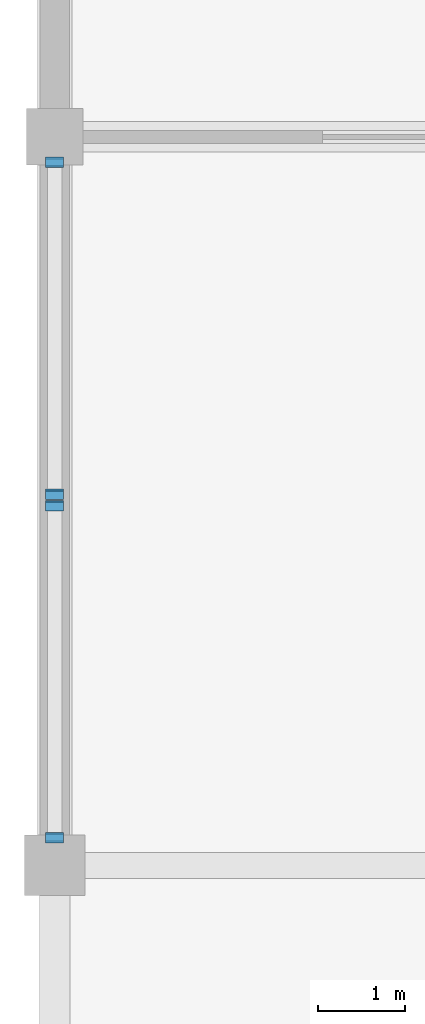
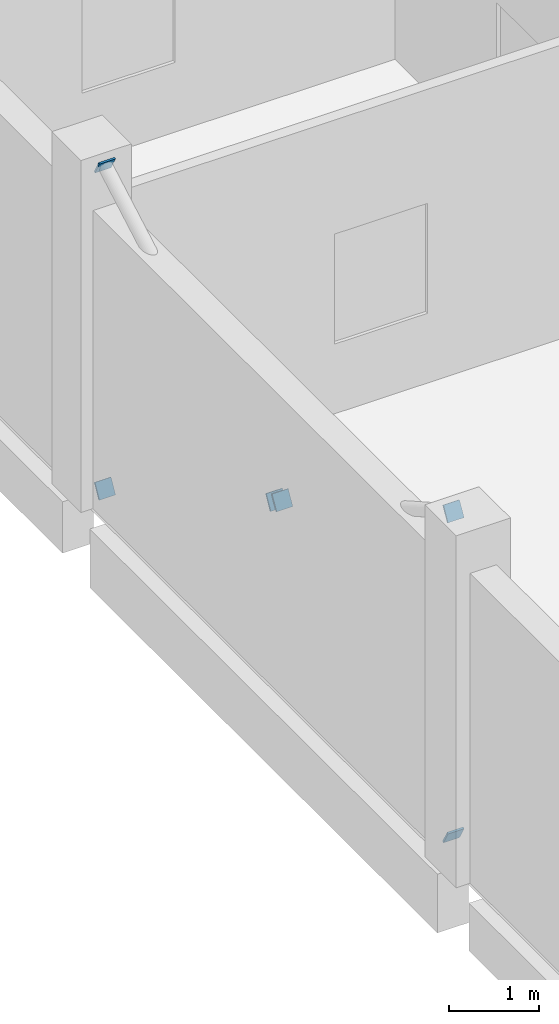
# One storey, part 61 of 91: 6 plates.
"""IFC4 building model written with IfcOpenShell, lengths in metres."""

from ifc_helpers import new_model, si_unit, direction, frame, origin, origin_2d, place, context, subcontext, project, spatial, rectangle, extrude, material, material_profile, profile_set, type_object, element, save


model = new_model("IFC4")

# Units and contexts
model_context = context("Model", 3, precision=1e-05, world=origin(), true_north=direction((0.0, 1.0)))
body_context = subcontext(model_context, "Body", "Model", "MODEL_VIEW")
ifc_project = project(units=[si_unit("LENGTHUNIT", "METRE"), si_unit("AREAUNIT", "SQUARE_METRE"), si_unit("VOLUMEUNIT", "CUBIC_METRE"), si_unit("PLANEANGLEUNIT", "RADIAN"), si_unit("MASSUNIT", "GRAM", prefix="KILO")], contexts=[model_context])

# Site, building, storey
site_placement = place(None, origin())
site = spatial("IfcSite", under=ifc_project, at=site_placement, CompositionType="ELEMENT")
building_placement = place(site_placement, origin())
building = spatial("IfcBuilding", under=site, at=building_placement, Name="Vinh Khe Railworks Police Headquarters", CompositionType="ELEMENT")
storey_placement = place(building_placement, origin())
storey = spatial("IfcBuildingStorey", under=building, at=storey_placement, Name="L00", CompositionType="ELEMENT", Elevation=0.0)

# Plates
ifc_material = material(Name="Steel S355JR", Category="steel")
ifc_material_profile = material_profile(ifc_material, rectangle(XDim=0.2080078125, YDim=0.2080078125, at=origin_2d()), Name="PL 208x208")
ifc_profile_set = profile_set([ifc_material_profile], Name="Steel S355JR")
plate_type = type_object("IfcPlateType", Name="Steel End-Cap Plate 208x208x24", PredefinedType="SHEET", material=ifc_profile_set)
for number, where, z_axis, x_axis, name in (
    (1, (0.60009765625, 96.330078125, 0.199951171875), (0.0, -0.873197702015, -0.487366159264), (1.0, 0.0, 0.0), "End-Cap Gusset Plate PLT-EP-0061"),
    (2, (0.60009765625, 96.330078125, 4.60009765625), (0.0, -0.873197702015, 0.487366159264), (1.0, 0.0, 0.0), "End-Cap Gusset Plate PLT-EP-0062"),
    (3, (0.60009765625, 100.136474609375, 2.443115234375), (0.0, 0.866355221147, -0.499428303955), (-1.0, 0.0, 0.0), "End-Cap Gusset Plate PLT-EP-0067"),
    (4, (0.60009765625, 100.28857421875, 2.35693359375), (0.0, -0.87075356708, 0.49171966141), (1.0, 0.0, 0.0), "End-Cap Gusset Plate PLT-EP-0075"),
    (5, (0.60009765625, 104.094970703125, 0.199951171875), (0.0, 0.873197702015, -0.487366159264), (-1.0, 0.0, 0.0), "End-Cap Gusset Plate PLT-EP-0081"),
    (6, (0.60009765625, 104.094970703125, 4.60009765625), (0.0, 0.873197702015, 0.487366159264), (-1.0, 0.0, 0.0), "End-Cap Gusset Plate PLT-EP-0082"),
):
    element("IfcPlate", number, at=place(storey_placement, frame(where, z_axis=z_axis, x_axis=x_axis)), inside=storey, type_object=plate_type, Name=name, PredefinedType="SHEET", context=body_context, shape_type="SweptSolid", body=[
        extrude(rectangle(XDim=0.2080078125, YDim=0.2080078125, at=origin_2d()), origin(), (0.0, 0.0, 1.0), 0.02392578125),
    ])

save(model, "model.ifc")
